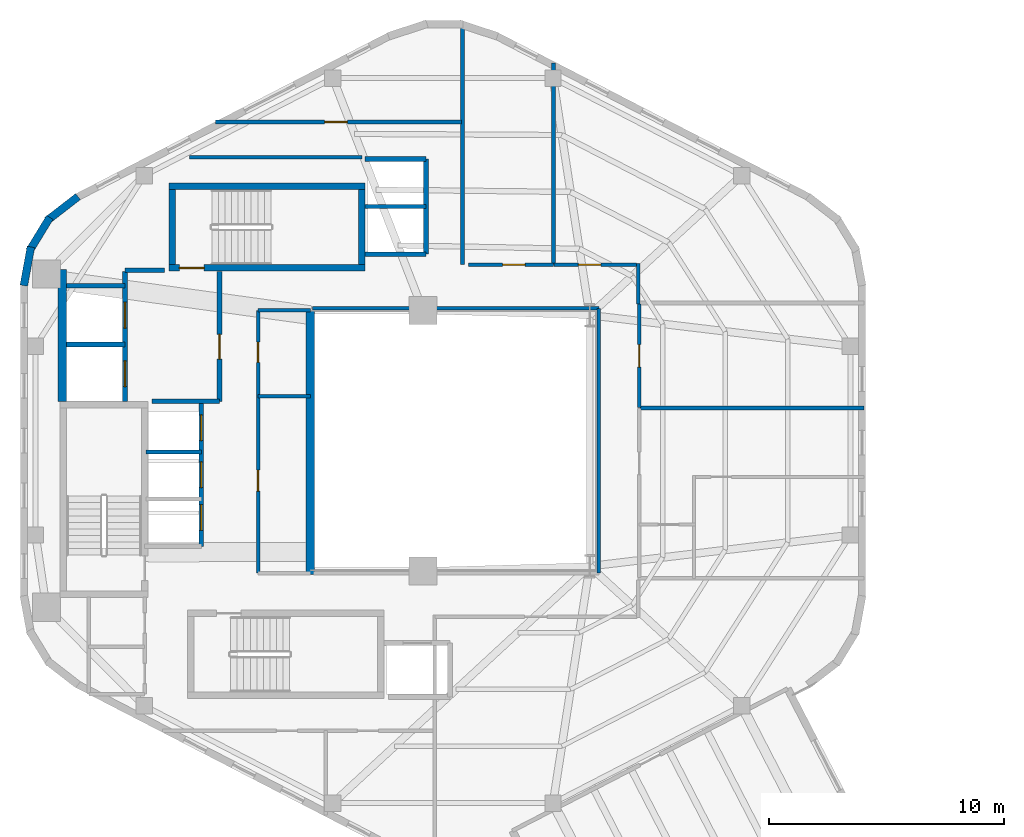
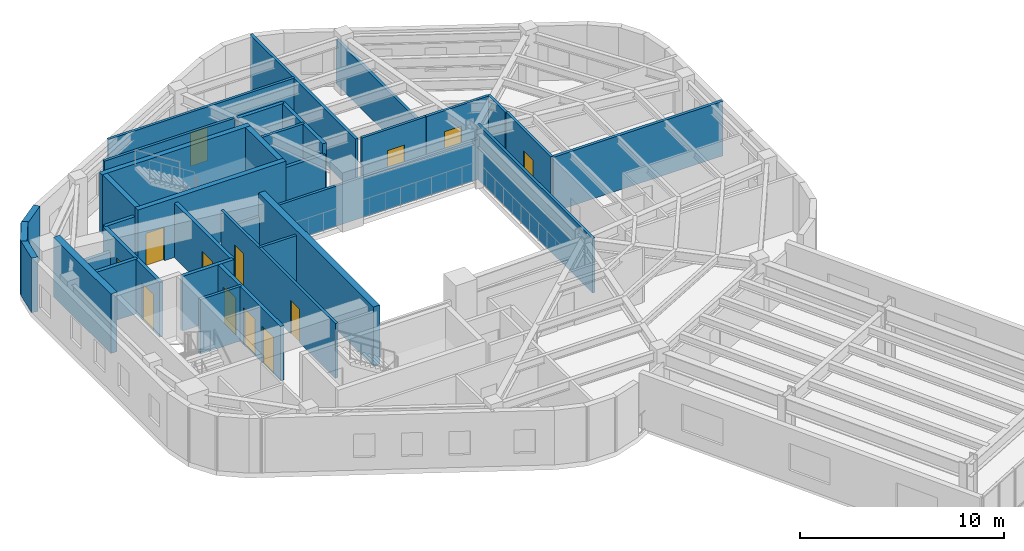
# One storey, part 8 of 10: 35 walls, 13 doors, 13 openings.
"""IFC4 building model written with IfcOpenShell, lengths in metres."""

from ifc_helpers import new_model, si_unit, direction, frame, frame_2d, origin, place, context, subcontext, project, spatial, rectangle, extrude, material, layer, layer_set, type_object, element, fill, save


model = new_model("IFC4")

# Units and contexts
model_context = context("Model", 3, precision=1e-05, world=origin(), true_north=direction((0.0, 1.0)))
body_context = subcontext(model_context, "Body", "Model", "MODEL_VIEW")
ifc_project = project(units=[si_unit("LENGTHUNIT", "METRE"), si_unit("AREAUNIT", "SQUARE_METRE"), si_unit("VOLUMEUNIT", "CUBIC_METRE"), si_unit("PLANEANGLEUNIT", "RADIAN"), si_unit("MASSUNIT", "GRAM", prefix="KILO"), si_unit("THERMODYNAMICTEMPERATUREUNIT", "KELVIN"), si_unit("POWERUNIT", "WATT")], contexts=[model_context])

# Site, building, storey
site_placement = place(None, origin())
site = spatial("IfcSite", under=ifc_project, at=site_placement, CompositionType="ELEMENT")
building_placement = place(site_placement, origin())
building = spatial("IfcBuilding", under=site, at=building_placement, Name="Skarre Station Tower", CompositionType="ELEMENT")
storey_placement = place(building_placement, frame((0.0, 0.0, 238.35009765625)))
storey = spatial("IfcBuildingStorey", under=building, at=storey_placement, Name="L65", CompositionType="ELEMENT", Elevation=238.35009765625)

# Wall
ifc_material_1 = material(Name="Acoustic Steel-Stud Gypsum Partition", Category="steel")
ifc_layer_1 = layer(ifc_material_1, 0.14990234375, Name="Acoustic Steel-Stud Gypsum Partition")
ifc_layer_set_1 = layer_set([ifc_layer_1], Name="Acoustic Steel-Stud Gypsum Partition")
wall_type_1 = type_object("IfcWallType", Name="Fire-Rated Corridor Acoustic Partition 150", PredefinedType="PARTITIONING", material=ifc_layer_set_1)
wall_1_placement = place(storey_placement, frame((25.320068359375, 25.89990234375, 0.0), z_axis=(0.0, 0.0, 1.0), x_axis=(1.0, 0.0, 0.0)))
element("IfcWall", 1, at=wall_1_placement, inside=storey, type_object=wall_type_1, Name="L65 Interior Partition WL-PT-L65-RC2-M", PredefinedType="PARTITIONING", context=body_context, shape_type="SweptSolid", body=[
    extrude(rectangle(XDim=2.22998046875, YDim=0.14990234375, at=frame_2d((1.114990234375, 0.0))), origin(), (0.0, 0.0, 1.0), 3.260009765625),
])

# Wall, openings, doors
wall_2_placement = place(storey_placement, frame((25.320068359375, 29.550048828125, 0.0), z_axis=(0.0, 0.0, 1.0), x_axis=(0.0, -1.0, 0.0)))
wall_2 = element("IfcWall", 2, at=wall_2_placement, inside=storey, type_object=wall_type_1, Name="L65 Interior Partition WL-PT-L65-RC2-W", PredefinedType="PARTITIONING", context=body_context, shape_type="SweptSolid", body=[
    extrude(rectangle(XDim=11.18994140625, YDim=0.14990234375, at=frame_2d((5.594970703125, 0.0))), origin(), (0.0, 0.0, 1.0), 3.260009765625),
])
opening_1_placement = place(wall_2_placement, frame((1.35009765625, 0.0, 0.0)))
opening_1 = element("IfcOpeningElement", 3, at=opening_1_placement, cuts=wall_2, Name="Opening DR-SVC86", PredefinedType="OPENING", context=body_context, shape_type="SweptSolid", body=[
    extrude(rectangle(XDim=0.860107421875, YDim=2.0, at=frame_2d((0.43017578125, 1.0))), frame((0.0, 0.0849609375, 0.0), z_axis=(0.0, -1.0, 0.0), x_axis=(1.0, 0.0, 0.0)), (0.0, 0.0, 1.0), 0.169921875),
])
opening_2_placement = place(wall_2_placement, frame((6.800048828125, 0.0, 0.0)))
opening_2 = element("IfcOpeningElement", 4, at=opening_2_placement, cuts=wall_2, Name="Opening DR-SVC90", PredefinedType="OPENING", context=body_context, shape_type="SweptSolid", body=[
    extrude(rectangle(XDim=0.89990234375, YDim=2.0, at=frame_2d((0.449951171875, 1.0))), frame((0.0, 0.0849609375, 0.0), z_axis=(0.0, -1.0, 0.0), x_axis=(1.0, 0.0, 0.0)), (0.0, 0.0, 1.0), 0.169921875),
])
ifc_material_2 = material(Name="Powder-Coated Hollow-Metal Acoustic Fire Leaf", Category="steel")
door_type_1 = type_object("IfcDoorType", Name="Compact Riser Fire Door FD60 860x2100", OperationType="SINGLE_SWING_LEFT", PredefinedType="DOOR", material=ifc_material_2)
door_1_placement = place(opening_1_placement, origin())
door_1 = element("IfcDoor", 5, at=door_1_placement, inside=storey, type_object=door_type_1, Name="L65 Music Alcove Door", OperationType="SINGLE_SWING_LEFT", OverallHeight=2.0, OverallWidth=0.860107421875, PredefinedType="DOOR", context=body_context, shape_type="SweptSolid", body=[
    extrude(rectangle(XDim=0.860107421875, YDim=2.0, at=frame_2d((0.43017578125, 1.0))), frame((0.0, 0.02490234375, 0.0), z_axis=(0.0, -1.0, 0.0), x_axis=(1.0, 0.0, 0.0)), (0.0, 0.0, 1.0), 0.050048828125),
])
fill(opening_1, door_1)
door_type_2 = type_object("IfcDoorType", Name="Service & Riser Fire Door FD60 900x2100", OperationType="SINGLE_SWING_LEFT", PredefinedType="DOOR", material=ifc_material_2)
door_2_placement = place(opening_2_placement, origin())
door_2 = element("IfcDoor", 6, at=door_2_placement, inside=storey, type_object=door_type_2, Name="L65 Tasting Pantry Door", OperationType="SINGLE_SWING_LEFT", OverallHeight=2.0, OverallWidth=0.89990234375, PredefinedType="DOOR", context=body_context, shape_type="SweptSolid", body=[
    extrude(rectangle(XDim=0.89990234375, YDim=2.0, at=frame_2d((0.449951171875, 1.0))), frame((0.0, 0.02490234375, 0.0), z_axis=(0.0, -1.0, 0.0), x_axis=(1.0, 0.0, 0.0)), (0.0, 0.0, 1.0), 0.050048828125),
])
fill(opening_2, door_2)

# Walls
wall_3_placement = place(storey_placement, frame((27.550048828125, 29.550048828125, 0.0), z_axis=(0.0, 0.0, 1.0), x_axis=(-1.0, 0.0, 0.0)))
element("IfcWall", 7, at=wall_3_placement, inside=storey, type_object=wall_type_1, Name="L65 Interior Partition WL-PT-L65-RC2-N", PredefinedType="PARTITIONING", context=body_context, shape_type="SweptSolid", body=[
    extrude(rectangle(XDim=2.22998046875, YDim=0.14990234375, at=frame_2d((1.114990234375, 0.0))), origin(), (0.0, 0.0, 1.0), 2.159912109375),
])
wall_4_placement = place(storey_placement, frame((39.840087890625, 29.639892578125, 0.0), z_axis=(0.0, 0.0, 1.0), x_axis=(-1.0, 0.0, 0.0)))
element("IfcWall", 8, at=wall_4_placement, inside=storey, type_object=wall_type_1, Name="L65 Interior Partition WL-PT-L65-ATRW-N", PredefinedType="PARTITIONING", context=body_context, shape_type="SweptSolid", body=[
    extrude(rectangle(XDim=12.203125, YDim=0.14990234375, at=frame_2d((6.1015625, 0.0))), origin(), (0.0, 0.0, 1.0), 2.40087890625),
])
wall_5_placement = place(storey_placement, frame((39.840087890625, 18.360107421875, 0.0), z_axis=(0.0, 0.0, 1.0), x_axis=(0.0, 1.0, 0.0)))
element("IfcWall", 9, at=wall_5_placement, inside=storey, type_object=wall_type_1, Name="L65 Interior Partition WL-PT-L65-ATRW-E", PredefinedType="PARTITIONING", context=body_context, shape_type="SweptSolid", body=[
    extrude(rectangle(XDim=11.27978515625, YDim=0.14990234375, at=frame_2d((5.639892578125, 0.0))), origin(), (0.0, 0.0, 1.0), 3.260009765625),
])

# Wall, opening, door
wall_6_placement = place(storey_placement, frame((34.0, 37.580078125, 0.0), z_axis=(0.0, 0.0, 1.0), x_axis=(-1.0, 0.0, 0.0)))
wall_6 = element("IfcWall", 10, at=wall_6_placement, inside=storey, type_object=wall_type_1, Name="L65 Interior Partition WL-PT-L65-NWW1-CW", PredefinedType="PARTITIONING", context=body_context, shape_type="SweptSolid", body=[
    extrude(rectangle(XDim=10.5009765625, YDim=0.14990234375, at=frame_2d((5.25048828125, 0.0))), origin(), (0.0, 0.0, 1.0), 3.260009765625),
])
opening_3_placement = place(wall_6_placement, frame((4.87890625, 0.0, 0.0)))
opening_3 = element("IfcOpeningElement", 11, at=opening_3_placement, cuts=wall_6, Name="Opening DR-FD60", PredefinedType="OPENING", context=body_context, shape_type="SweptSolid", body=[
    extrude(rectangle(XDim=0.9599609375, YDim=2.0, at=frame_2d((0.47998046875, 1.0))), frame((0.0, 0.0849609375, 0.0), z_axis=(0.0, -1.0, 0.0), x_axis=(1.0, 0.0, 0.0)), (0.0, 0.0, 1.0), 0.169921875),
])
ifc_material_3 = material(Name="Nordic White-Oak Veneer Solid-Core Fire Leaf", Category="wood")
door_type_3 = type_object("IfcDoorType", Name="Corridor Suite Entry Fire Door FD60 960x2150", OperationType="SINGLE_SWING_LEFT", PredefinedType="DOOR", material=ifc_material_3)
door_3_placement = place(opening_3_placement, origin())
door_3 = element("IfcDoor", 12, at=door_3_placement, inside=storey, type_object=door_type_3, Name="L65 NWW1 Entry Door", OperationType="SINGLE_SWING_LEFT", OverallHeight=2.0, OverallWidth=0.9599609375, PredefinedType="DOOR", context=body_context, shape_type="SweptSolid", body=[
    extrude(rectangle(XDim=0.9599609375, YDim=2.0, at=frame_2d((0.47998046875, 1.0))), frame((0.0, 0.02490234375, 0.0), z_axis=(0.0, -1.0, 0.0), x_axis=(1.0, 0.0, 0.0)), (0.0, 0.0, 1.0), 0.050048828125),
])
fill(opening_3, door_3)

# Wall
wall_7_placement = place(storey_placement, frame((41.52001953125, 29.820068359375, 0.0), z_axis=(0.0, 0.0, 1.0), x_axis=(0.0, 1.0, 0.0)))
element("IfcWall", 13, at=wall_7_placement, inside=storey, type_object=wall_type_1, Name="L65 Interior Partition WL-PT-L65-CORR-NER", PredefinedType="PARTITIONING", context=body_context, shape_type="SweptSolid", body=[
    extrude(rectangle(XDim=1.719970703125, YDim=0.14990234375, at=frame_2d((0.85986328125, 0.0))), origin(), (0.0, 0.0, 1.0), 3.260009765625),
])

# Wall, opening, door
wall_8_placement = place(storey_placement, frame((37.912109375, 31.5, 0.0), z_axis=(0.0, 0.0, 1.0), x_axis=(-1.0, 0.0, 0.0)))
wall_8 = element("IfcWall", 14, at=wall_8_placement, inside=storey, type_object=wall_type_1, Name="L65 Interior Partition WL-PT-L65-NW1-CW", PredefinedType="PARTITIONING", context=body_context, shape_type="SweptSolid", body=[
    extrude(rectangle(XDim=3.6220703125, YDim=0.14990234375, at=frame_2d((1.81103515625, 0.0))), origin(), (0.0, 0.0, 1.0), 3.260009765625),
])
opening_4_placement = place(wall_8_placement, frame((1.2119140625, 0.0, 0.0)))
opening_4 = element("IfcOpeningElement", 15, at=opening_4_placement, cuts=wall_8, Name="Opening DR-FD60", PredefinedType="OPENING", context=body_context, shape_type="SweptSolid", body=[
    extrude(rectangle(XDim=0.9599609375, YDim=2.0, at=frame_2d((0.47998046875, 1.0))), frame((0.0, 0.0849609375, 0.0), z_axis=(0.0, -1.0, 0.0), x_axis=(1.0, 0.0, 0.0)), (0.0, 0.0, 1.0), 0.169921875),
])
door_4_placement = place(opening_4_placement, origin())
door_4 = element("IfcDoor", 16, at=door_4_placement, inside=storey, type_object=door_type_3, Name="L65 NW1 Entry Door", OperationType="SINGLE_SWING_LEFT", OverallHeight=2.0, OverallWidth=0.9599609375, PredefinedType="DOOR", context=body_context, shape_type="SweptSolid", body=[
    extrude(rectangle(XDim=0.9599609375, YDim=2.0, at=frame_2d((0.47998046875, 1.0))), frame((0.0, 0.02490234375, 0.0), z_axis=(0.0, -1.0, 0.0), x_axis=(1.0, 0.0, 0.0)), (0.0, 0.0, 1.0), 0.050048828125),
])
fill(opening_4, door_4)

wall_9_placement = place(storey_placement, frame((41.449951171875, 31.5, 0.0), z_axis=(0.0, 0.0, 1.0), x_axis=(-1.0, 0.0, 0.0)))
wall_9 = element("IfcWall", 17, at=wall_9_placement, inside=storey, type_object=wall_type_1, Name="L65 Interior Partition WL-PT-L65-NW2-CW", PredefinedType="PARTITIONING", context=body_context, shape_type="SweptSolid", body=[
    extrude(rectangle(XDim=3.52783203125, YDim=0.14990234375, at=frame_2d((1.763916015625, 0.0))), origin(), (0.0, 0.0, 1.0), 3.260009765625),
])
opening_5_placement = place(wall_9_placement, frame((1.52392578125, 0.0, 0.0)))
opening_5 = element("IfcOpeningElement", 18, at=opening_5_placement, cuts=wall_9, Name="Opening DR-FD60", PredefinedType="OPENING", context=body_context, shape_type="SweptSolid", body=[
    extrude(rectangle(XDim=0.9599609375, YDim=2.0, at=frame_2d((0.47998046875, 1.0))), frame((0.0, 0.0849609375, 0.0), z_axis=(0.0, -1.0, 0.0), x_axis=(1.0, 0.0, 0.0)), (0.0, 0.0, 1.0), 0.169921875),
])
door_5_placement = place(opening_5_placement, origin())
door_5 = element("IfcDoor", 19, at=door_5_placement, inside=storey, type_object=door_type_3, Name="L65 NW2 Entry Door", OperationType="SINGLE_SWING_LEFT", OverallHeight=2.0, OverallWidth=0.9599609375, PredefinedType="DOOR", context=body_context, shape_type="SweptSolid", body=[
    extrude(rectangle(XDim=0.9599609375, YDim=2.0, at=frame_2d((0.47998046875, 1.0))), frame((0.0, 0.02490234375, 0.0), z_axis=(0.0, -1.0, 0.0), x_axis=(1.0, 0.0, 0.0)), (0.0, 0.0, 1.0), 0.050048828125),
])
fill(opening_5, door_5)

wall_10_placement = place(storey_placement, frame((41.56005859375, 25.4150390625, 0.0), z_axis=(0.0, 0.0, 1.0), x_axis=(0.0, 1.0, 0.0)))
wall_10 = element("IfcWall", 20, at=wall_10_placement, inside=storey, type_object=wall_type_1, Name="L65 Interior Partition WL-PT-L65-EW2-CW", PredefinedType="PARTITIONING", context=body_context, shape_type="SweptSolid", body=[
    extrude(rectangle(XDim=4.405029296875, YDim=0.14990234375, at=frame_2d((2.20263671875, 0.0))), origin(), (0.0, 0.0, 1.0), 3.260009765625),
])
opening_6_placement = place(wall_10_placement, frame((1.722900390625, 0.0, 0.0)))
opening_6 = element("IfcOpeningElement", 21, at=opening_6_placement, cuts=wall_10, Name="Opening DR-FD60", PredefinedType="OPENING", context=body_context, shape_type="SweptSolid", body=[
    extrude(rectangle(XDim=0.9599609375, YDim=2.0, at=frame_2d((0.47998046875, 1.0))), frame((0.0, 0.0849609375, 0.0), z_axis=(0.0, -1.0, 0.0), x_axis=(1.0, 0.0, 0.0)), (0.0, 0.0, 1.0), 0.169921875),
])
door_6_placement = place(opening_6_placement, origin())
door_6 = element("IfcDoor", 22, at=door_6_placement, inside=storey, type_object=door_type_3, Name="L65 EW2 Entry Door", OperationType="SINGLE_SWING_LEFT", OverallHeight=2.0, OverallWidth=0.9599609375, PredefinedType="DOOR", context=body_context, shape_type="SweptSolid", body=[
    extrude(rectangle(XDim=0.9599609375, YDim=2.0, at=frame_2d((0.47998046875, 1.0))), frame((0.0, 0.02490234375, 0.0), z_axis=(0.0, -1.0, 0.0), x_axis=(1.0, 0.0, 0.0)), (0.0, 0.0, 1.0), 0.050048828125),
])
fill(opening_6, door_6)

# Walls
wall_11_placement = place(storey_placement, frame((29.7529296875, 36.080078125, 0.0), z_axis=(0.0, 0.0, 1.0), x_axis=(-1.0, 0.0, 0.0)))
element("IfcWall", 23, at=wall_11_placement, inside=storey, type_object=wall_type_1, Name="L65 Interior Partition WL-PT-L65-CSEAL-1", PredefinedType="PARTITIONING", context=body_context, shape_type="SweptSolid", body=[
    extrude(rectangle(XDim=7.35302734375, YDim=0.14990234375, at=frame_2d((3.676513671875, 0.0))), origin(), (0.0, 0.0, 1.0), 3.260009765625),
])
ifc_material_4 = material(Name="Precast concrete C45/55", Category="concrete")
ifc_layer_2 = layer(ifc_material_4, 0.330078125, Name="Precast concrete C45/55")
ifc_layer_set_2 = layer_set([ifc_layer_2], Name="Precast concrete C45/55")
wall_type_2 = type_object("IfcWallType", Name="Nordic Rounded Corner Precast Wall 330", PredefinedType="STANDARD", material=ifc_layer_set_2)
wall_12_placement = place(storey_placement, frame((15.337890625, 30.60791015625, 0.0), z_axis=(0.0, 0.0, 1.0), x_axis=(0.180832605401, 0.983513888475, 0.0)))
element("IfcWall", 24, at=wall_12_placement, inside=storey, type_object=wall_type_2, Name="L65 Rounded Corner Precast Wall F2-1", PredefinedType="STANDARD", context=body_context, shape_type="SweptSolid", body=[
    extrude(rectangle(XDim=1.6767578125, YDim=0.330078125, at=frame_2d((0.83837890625, 0.0))), origin(), (0.0, 0.0, 1.0), 3.260009765625),
])
wall_13_placement = place(storey_placement, frame((15.573974609375, 32.08203125, 0.0), z_axis=(0.0, 0.0, 1.0), x_axis=(0.520325409202, 0.853968072318, 0.0)))
element("IfcWall", 25, at=wall_13_placement, inside=storey, type_object=wall_type_2, Name="L65 Rounded Corner Precast Wall F2-2", PredefinedType="STANDARD", context=body_context, shape_type="SweptSolid", body=[
    extrude(rectangle(XDim=1.677978515625, YDim=0.330078125, at=frame_2d((0.8388671875, 0.0))), origin(), (0.0, 0.0, 1.0), 3.260009765625),
])
wall_14_placement = place(storey_placement, frame((16.322021484375, 33.375, 0.0), z_axis=(0.0, 0.0, 1.0), x_axis=(0.790691856293, 0.61221433207, 0.0)))
element("IfcWall", 26, at=wall_14_placement, inside=storey, type_object=wall_type_2, Name="L65 Rounded Corner Precast Wall F2-3", PredefinedType="STANDARD", context=body_context, shape_type="SweptSolid", body=[
    extrude(rectangle(XDim=1.67578125, YDim=0.330078125, at=frame_2d((0.837890625, 0.0))), origin(), (0.0, 0.0, 1.0), 3.260009765625),
])

# Wall, opening, door
ifc_material_5 = material(Name="Concrete C50/60", Category="concrete")
ifc_layer_3 = layer(ifc_material_5, 0.280029296875, Name="Concrete C50/60")
ifc_layer_set_3 = layer_set([ifc_layer_3], Name="Concrete C50/60")
wall_type_3 = type_object("IfcWallType", Name="RC Core Shear Wall 280", PredefinedType="SHEAR", material=ifc_layer_set_3)
wall_15_placement = place(storey_placement, frame((21.52001953125, 31.360107421875, 0.0), z_axis=(0.0, 0.0, 1.0), x_axis=(1.0, 0.0, 0.0)))
wall_15 = element("IfcWall", 27, at=wall_15_placement, inside=storey, type_object=wall_type_3, Name="L65 Stair ST-3 South Shear Wall", PredefinedType="SHEAR", context=body_context, shape_type="SweptSolid", body=[
    extrude(rectangle(XDim=8.35986328125, YDim=0.280029296875, at=frame_2d((4.179931640625, 0.0))), origin(), (0.0, 0.0, 1.0), 3.5498046875),
])
opening_7_placement = place(wall_15_placement, frame((0.449951171875, 0.0, 0.0)))
opening_7 = element("IfcOpeningElement", 28, at=opening_7_placement, cuts=wall_15, Name="Opening DR-FD90", PredefinedType="OPENING", context=body_context, shape_type="SweptSolid", body=[
    extrude(rectangle(XDim=1.050048828125, YDim=2.0, at=frame_2d((0.52490234375, 1.0))), frame((0.0, 0.14990234375, 0.0), z_axis=(0.0, -1.0, 0.0), x_axis=(1.0, 0.0, 0.0)), (0.0, 0.0, 1.0), 0.300048828125),
])
ifc_material_6 = material(Name="Fire-Rated Insulated Steel Frame & Timber Core Leaf", Category="steel")
door_type_4 = type_object("IfcDoorType", Name="Stair & FSAE Lobby Fire Door FD90 1050x2150", OperationType="SINGLE_SWING_RIGHT", PredefinedType="DOOR", material=ifc_material_6)
door_7_placement = place(opening_7_placement, origin())
door_7 = element("IfcDoor", 29, at=door_7_placement, inside=storey, type_object=door_type_4, Name="L65 Stair ST-3 & FSAE Lobby Direct Exit Door", OperationType="SINGLE_SWING_LEFT", OverallHeight=2.0, OverallWidth=1.050048828125, PredefinedType="DOOR", context=body_context, shape_type="SweptSolid", body=[
    extrude(rectangle(XDim=1.050048828125, YDim=2.0, at=frame_2d((0.52490234375, 1.0))), frame((0.0, 0.02490234375, 0.0), z_axis=(0.0, -1.0, 0.0), x_axis=(1.0, 0.0, 0.0)), (0.0, 0.0, 1.0), 0.050048828125),
])
fill(opening_7, door_7)

# Walls
wall_16_placement = place(storey_placement, frame((29.8798828125, 34.840087890625, 0.0), z_axis=(0.0, 0.0, 1.0), x_axis=(-1.0, 0.0, 0.0)))
element("IfcWall", 30, at=wall_16_placement, inside=storey, type_object=wall_type_3, Name="L65 Stair ST-3 North Shear Wall", PredefinedType="SHEAR", context=body_context, shape_type="SweptSolid", body=[
    extrude(rectangle(XDim=8.35986328125, YDim=0.280029296875, at=frame_2d((4.179931640625, 0.0))), origin(), (0.0, 0.0, 1.0), 3.5498046875),
])
for number, where, z_axis, x_axis, name in (
    (31, (21.659912109375, 34.699951171875, 0.0), (0.0, 0.0, 1.0), (0.0, -1.0, 0.0), "L65 Stair ST-3 West Shear Wall"),
    (32, (29.739990234375, 31.5, 0.0), (0.0, 0.0, 1.0), (0.0, 1.0, 0.0), "L65 Stair ST-3 East Shear Wall"),
):
    element("IfcWall", number, at=place(storey_placement, frame(where, z_axis=z_axis, x_axis=x_axis)), inside=storey, type_object=wall_type_3, Name=name, PredefinedType="SHEAR", context=body_context, shape_type="SweptSolid", body=[
        extrude(rectangle(XDim=3.199951171875, YDim=0.280029296875, at=frame_2d((1.60009765625, 0.0))), origin(), (0.0, 0.0, 1.0), 3.5498046875),
    ])
ifc_layer_4 = layer(ifc_material_5, 0.360107421875, Name="Concrete C50/60")
ifc_layer_set_4 = layer_set([ifc_layer_4], Name="Concrete C50/60")
wall_type_4 = type_object("IfcWallType", Name="RC Core Shear Wall 360", PredefinedType="SHEAR", material=ifc_layer_set_4)
wall_17_placement = place(storey_placement, frame((16.969970703125, 25.679931640625, 0.0), z_axis=(0.0, 0.0, 1.0), x_axis=(0.0, 1.0, 0.0)))
element("IfcWall", 33, at=wall_17_placement, inside=storey, type_object=wall_type_4, Name="L65 Core West-North Shear Wall", PredefinedType="SHEAR", context=body_context, shape_type="SweptSolid", body=[
    extrude(rectangle(XDim=5.6201171875, YDim=0.360107421875, at=frame_2d((2.81005859375, 0.0))), origin(), (0.0, 0.0, 1.0), 3.5498046875),
])
wall_18_placement = place(storey_placement, frame((27.550048828125, 29.550048828125, 0.0), z_axis=(0.0, 0.0, 1.0), x_axis=(0.0, -1.0, 0.0)))
element("IfcWall", 34, at=wall_18_placement, inside=storey, type_object=wall_type_4, Name="L65 Core East Atrium Shear Wall", PredefinedType="SHEAR", context=body_context, shape_type="SweptSolid", body=[
    extrude(rectangle(XDim=11.25, YDim=0.360107421875, at=frame_2d((5.625, 0.0))), origin(), (0.0, 0.0, 1.0), 3.5498046875),
])

# Wall, openings, doors
ifc_material_7 = material(Name="Gypsum Concrete Shaft Assembly C30/37", Category="concrete")
ifc_layer_5 = layer(ifc_material_7, 0.199951171875, Name="Gypsum Concrete Shaft Assembly C30/37")
ifc_layer_set_5 = layer_set([ifc_layer_5], Name="Gypsum Concrete Shaft Assembly C30/37")
wall_type_5 = type_object("IfcWallType", Name="Shaft & Core Fire Partition 200", PredefinedType="PARTITIONING", material=ifc_layer_set_5)
wall_19_placement = place(storey_placement, frame((19.64990234375, 25.679931640625, 0.0), z_axis=(0.0, 0.0, 1.0), x_axis=(0.0, 1.0, 0.0)))
wall_19 = element("IfcWall", 35, at=wall_19_placement, inside=storey, type_object=wall_type_5, Name="L65 Interior Partition WL-PT-L65-FSAE-W", PredefinedType="PARTITIONING", context=body_context, shape_type="SweptSolid", body=[
    extrude(rectangle(XDim=5.5400390625, YDim=0.199951171875, at=frame_2d((2.77001953125, 0.0))), origin(), (0.0, 0.0, 1.0), 3.260009765625),
])
opening_8_placement = place(wall_19_placement, frame((0.6201171875, 0.0, 0.0)))
opening_8 = element("IfcOpeningElement", 36, at=opening_8_placement, cuts=wall_19, Name="Opening LD-FF1", PredefinedType="OPENING", context=body_context, shape_type="SweptSolid", body=[
    extrude(rectangle(XDim=1.10009765625, YDim=2.199951171875, at=frame_2d((0.550048828125, 1.10009765625))), frame((0.0, 0.10986328125, 0.0), z_axis=(0.0, -1.0, 0.0), x_axis=(1.0, 0.0, 0.0)), (0.0, 0.0, 1.0), 0.219970703125),
])
opening_9_placement = place(wall_19_placement, frame((3.1201171875, 0.0, 0.0)))
opening_9 = element("IfcOpeningElement", 37, at=opening_9_placement, cuts=wall_19, Name="Opening LD-FF2", PredefinedType="OPENING", context=body_context, shape_type="SweptSolid", body=[
    extrude(rectangle(XDim=1.10009765625, YDim=2.199951171875, at=frame_2d((0.550048828125, 1.10009765625))), frame((0.0, 0.10986328125, 0.0), z_axis=(0.0, -1.0, 0.0), x_axis=(1.0, 0.0, 0.0)), (0.0, 0.0, 1.0), 0.219970703125),
])
ifc_material_8 = material(Name="Fire-Rated Stainless Steel Grade 316L Sliding Leaves", Category="steel")
door_type_5 = type_object("IfcDoorType", Name="Fire Service Access Elevator Sliding Landing Door 1100x2200", OperationType="SLIDING_TO_LEFT", PredefinedType="DOOR", material=ifc_material_8)
door_8_placement = place(opening_8_placement, origin())
door_8 = element("IfcDoor", 38, at=door_8_placement, inside=storey, type_object=door_type_5, Name="L65 Firefighting Lift LF-FF1 Landing Door", OperationType="SLIDING_TO_LEFT", OverallHeight=2.199951171875, OverallWidth=1.10009765625, PredefinedType="DOOR", context=body_context, shape_type="SweptSolid", body=[
    extrude(rectangle(XDim=1.10009765625, YDim=2.199951171875, at=frame_2d((0.550048828125, 1.10009765625))), frame((0.0, 0.02490234375, 0.0), z_axis=(0.0, -1.0, 0.0), x_axis=(1.0, 0.0, 0.0)), (0.0, 0.0, 1.0), 0.050048828125),
])
fill(opening_8, door_8)
door_9_placement = place(opening_9_placement, origin())
door_9 = element("IfcDoor", 39, at=door_9_placement, inside=storey, type_object=door_type_5, Name="L65 Firefighting Lift LF-FF2 Landing Door", OperationType="SLIDING_TO_LEFT", OverallHeight=2.199951171875, OverallWidth=1.10009765625, PredefinedType="DOOR", context=body_context, shape_type="SweptSolid", body=[
    extrude(rectangle(XDim=1.10009765625, YDim=2.199951171875, at=frame_2d((0.550048828125, 1.10009765625))), frame((0.0, 0.02490234375, 0.0), z_axis=(0.0, -1.0, 0.0), x_axis=(1.0, 0.0, 0.0)), (0.0, 0.0, 1.0), 0.050048828125),
])
fill(opening_9, door_9)

# Wall
wall_20_placement = place(storey_placement, frame((20.79296875, 25.679931640625, 0.0), z_axis=(0.0, 0.0, 1.0), x_axis=(1.0, 0.0, 0.0)))
element("IfcWall", 40, at=wall_20_placement, inside=storey, type_object=wall_type_5, Name="L65 Interior Partition WL-PT-L65-FSAE-S", PredefinedType="PARTITIONING", context=body_context, shape_type="SweptSolid", body=[
    extrude(rectangle(XDim=2.886962890625, YDim=0.199951171875, at=frame_2d((1.443359375, 0.0))), origin(), (0.0, 0.0, 1.0), 3.260009765625),
])

# Wall, opening, door
wall_21_placement = place(storey_placement, frame((23.679931640625, 25.679931640625, 0.0), z_axis=(0.0, 0.0, 1.0), x_axis=(0.0, 1.0, 0.0)))
wall_21 = element("IfcWall", 41, at=wall_21_placement, inside=storey, type_object=wall_type_5, Name="L65 Interior Partition WL-PT-L65-FSAE-E", PredefinedType="PARTITIONING", context=body_context, shape_type="SweptSolid", body=[
    extrude(rectangle(XDim=5.5400390625, YDim=0.199951171875, at=frame_2d((2.77001953125, 0.0))), origin(), (0.0, 0.0, 1.0), 3.260009765625),
])
opening_10_placement = place(wall_21_placement, frame((1.800048828125, 0.0, 0.0)))
opening_10 = element("IfcOpeningElement", 42, at=opening_10_placement, cuts=wall_21, Name="Opening DR-FD90", PredefinedType="OPENING", context=body_context, shape_type="SweptSolid", body=[
    extrude(rectangle(XDim=1.050048828125, YDim=2.0, at=frame_2d((0.52490234375, 1.0))), frame((0.0, 0.10986328125, 0.0), z_axis=(0.0, -1.0, 0.0), x_axis=(1.0, 0.0, 0.0)), (0.0, 0.0, 1.0), 0.219970703125),
])
door_10_placement = place(opening_10_placement, origin())
door_10 = element("IfcDoor", 43, at=door_10_placement, inside=storey, type_object=door_type_4, Name="L65 FSAE Lobby Fire Door", OperationType="SINGLE_SWING_RIGHT", OverallHeight=2.0, OverallWidth=1.050048828125, PredefinedType="DOOR", context=body_context, shape_type="SweptSolid", body=[
    extrude(rectangle(XDim=1.050048828125, YDim=2.0, at=frame_2d((0.52490234375, 1.0))), frame((0.0, 0.02490234375, 0.0), z_axis=(0.0, -1.0, 0.0), x_axis=(1.0, 0.0, 0.0)), (0.0, 0.0, 1.0), 0.050048828125),
])
fill(opening_10, door_10)

# Walls
wall_22_placement = place(storey_placement, frame((21.330078125, 31.260009765625, 0.0), z_axis=(0.0, 0.0, 1.0), x_axis=(-1.0, 0.0, 0.0)))
element("IfcWall", 44, at=wall_22_placement, inside=storey, type_object=wall_type_5, Name="L65 Interior Partition WL-PT-L65-FSAE-N", PredefinedType="PARTITIONING", context=body_context, shape_type="SweptSolid", body=[
    extrude(rectangle(XDim=1.68017578125, YDim=0.199951171875, at=frame_2d((0.840087890625, 0.0))), origin(), (0.0, 0.0, 1.0), 3.260009765625),
])
wall_23_placement = place(storey_placement, frame((17.14990234375, 28.10009765625, 0.0), z_axis=(0.0, 0.0, 1.0), x_axis=(1.0, 0.0, 0.0)))
element("IfcWall", 45, at=wall_23_placement, inside=storey, type_object=wall_type_5, Name="L65 Interior Partition WL-PT-L65-FF-DIV", PredefinedType="PARTITIONING", context=body_context, shape_type="SweptSolid", body=[
    extrude(rectangle(XDim=2.5, YDim=0.199951171875, at=frame_2d((1.25, 0.0))), origin(), (0.0, 0.0, 1.0), 3.260009765625),
])
wall_24_placement = place(storey_placement, frame((19.64990234375, 30.60009765625, 0.0), z_axis=(0.0, 0.0, 1.0), x_axis=(-1.0, 0.0, 0.0)))
element("IfcWall", 46, at=wall_24_placement, inside=storey, type_object=wall_type_5, Name="L65 Interior Partition WL-PT-L65-FF-N", PredefinedType="PARTITIONING", context=body_context, shape_type="SweptSolid", body=[
    extrude(rectangle(XDim=2.5, YDim=0.199951171875, at=frame_2d((1.25, 0.0))), origin(), (0.0, 0.0, 1.0), 2.159912109375),
])
wall_25_placement = place(storey_placement, frame((32.47998046875, 31.949951171875, 0.0), z_axis=(0.0, 0.0, 1.0), x_axis=(0.0, 1.0, 0.0)))
element("IfcWall", 47, at=wall_25_placement, inside=storey, type_object=wall_type_5, Name="L65 Interior Partition WL-PT-L65-EX-E", PredefinedType="PARTITIONING", context=body_context, shape_type="SweptSolid", body=[
    extrude(rectangle(XDim=4.050048828125, YDim=0.199951171875, at=frame_2d((2.02490234375, 0.0))), origin(), (0.0, 0.0, 1.0), 3.260009765625),
])
wall_26_placement = place(storey_placement, frame((29.8798828125, 36.0, 0.0), z_axis=(0.0, 0.0, 1.0), x_axis=(1.0, 0.0, 0.0)))
element("IfcWall", 48, at=wall_26_placement, inside=storey, type_object=wall_type_5, Name="L65 Interior Partition WL-PT-L65-EX-N", PredefinedType="PARTITIONING", context=body_context, shape_type="SweptSolid", body=[
    extrude(rectangle(XDim=2.60009765625, YDim=0.199951171875, at=frame_2d((1.300048828125, 0.0))), origin(), (0.0, 0.0, 1.0), 3.260009765625),
])
wall_27_placement = place(storey_placement, frame((32.47998046875, 31.949951171875, 0.0), z_axis=(0.0, 0.0, 1.0), x_axis=(-1.0, 0.0, 0.0)))
element("IfcWall", 49, at=wall_27_placement, inside=storey, type_object=wall_type_5, Name="L65 Interior Partition WL-PT-L65-EX-S", PredefinedType="PARTITIONING", context=body_context, shape_type="SweptSolid", body=[
    extrude(rectangle(XDim=2.60009765625, YDim=0.199951171875, at=frame_2d((1.300048828125, 0.0))), origin(), (0.0, 0.0, 1.0), 2.65185546875),
])
wall_28_placement = place(storey_placement, frame((29.875, 33.97998046875, 0.0), z_axis=(0.0, 0.0, 1.0), x_axis=(1.0, 0.0, 0.0)))
element("IfcWall", 50, at=wall_28_placement, inside=storey, type_object=wall_type_5, Name="L65 Interior Partition WL-PT-L65-EX-DIV", PredefinedType="PARTITIONING", context=body_context, shape_type="SweptSolid", body=[
    extrude(rectangle(XDim=2.60498046875, YDim=0.159912109375, at=frame_2d((1.302490234375, 0.0))), origin(), (0.0, 0.0, 1.0), 3.260009765625),
])

# Wall, openings, doors
wall_29_placement = place(storey_placement, frame((22.89990234375, 19.5, 0.0), z_axis=(0.0, 0.0, 1.0), x_axis=(0.0, 1.0, 0.0)))
wall_29 = element("IfcWall", 51, at=wall_29_placement, inside=storey, type_object=wall_type_5, Name="L65 Interior Partition WL-PT-L65-B3-E", PredefinedType="PARTITIONING", context=body_context, shape_type="SweptSolid", body=[
    extrude(rectangle(XDim=6.0849609375, YDim=0.199951171875, at=frame_2d((3.04248046875, 0.0))), origin(), (0.0, 0.0, 1.0), 3.260009765625),
])
opening_11_placement = place(wall_29_placement, frame((0.679931640625, 0.0, 0.0)))
opening_11 = element("IfcOpeningElement", 52, at=opening_11_placement, cuts=wall_29, Name="Opening LD-P7", PredefinedType="OPENING", context=body_context, shape_type="SweptSolid", body=[
    extrude(rectangle(XDim=1.10009765625, YDim=2.199951171875, at=frame_2d((0.550048828125, 1.10009765625))), frame((0.0, 0.10986328125, 0.0), z_axis=(0.0, -1.0, 0.0), x_axis=(1.0, 0.0, 0.0)), (0.0, 0.0, 1.0), 0.219970703125),
])
opening_12_placement = place(wall_29_placement, frame((2.5, 0.0, 0.0)))
opening_12 = element("IfcOpeningElement", 53, at=opening_12_placement, cuts=wall_29, Name="Opening LD-P8", PredefinedType="OPENING", context=body_context, shape_type="SweptSolid", body=[
    extrude(rectangle(XDim=1.10009765625, YDim=2.199951171875, at=frame_2d((0.550048828125, 1.10009765625))), frame((0.0, 0.10986328125, 0.0), z_axis=(0.0, -1.0, 0.0), x_axis=(1.0, 0.0, 0.0)), (0.0, 0.0, 1.0), 0.219970703125),
])
opening_13_placement = place(wall_29_placement, frame((4.5, 0.0, 0.0)))
opening_13 = element("IfcOpeningElement", 54, at=opening_13_placement, cuts=wall_29, Name="Opening LD-P9", PredefinedType="OPENING", context=body_context, shape_type="SweptSolid", body=[
    extrude(rectangle(XDim=1.10009765625, YDim=2.199951171875, at=frame_2d((0.550048828125, 1.10009765625))), frame((0.0, 0.10986328125, 0.0), z_axis=(0.0, -1.0, 0.0), x_axis=(1.0, 0.0, 0.0)), (0.0, 0.0, 1.0), 0.219970703125),
])
ifc_material_9 = material(Name="Brushed Bronze Stainless Steel Sliding Leaves", Category="steel")
door_type_6 = type_object("IfcDoorType", Name="Passenger Elevator Center-Parting Sliding Door 1100x2200", OperationType="SLIDING_TO_LEFT", PredefinedType="DOOR", material=ifc_material_9)
door_11_placement = place(opening_11_placement, origin())
door_11 = element("IfcDoor", 55, at=door_11_placement, inside=storey, type_object=door_type_6, Name="L65 Passenger Lift LF-P7 Landing Door", OperationType="SLIDING_TO_LEFT", OverallHeight=2.199951171875, OverallWidth=1.10009765625, PredefinedType="DOOR", context=body_context, shape_type="SweptSolid", body=[
    extrude(rectangle(XDim=1.10009765625, YDim=2.199951171875, at=frame_2d((0.550048828125, 1.10009765625))), frame((0.0, 0.02490234375, 0.0), z_axis=(0.0, -1.0, 0.0), x_axis=(1.0, 0.0, 0.0)), (0.0, 0.0, 1.0), 0.050048828125),
])
fill(opening_11, door_11)
door_12_placement = place(opening_12_placement, origin())
door_12 = element("IfcDoor", 56, at=door_12_placement, inside=storey, type_object=door_type_6, Name="L65 Passenger Lift LF-P8 Landing Door", OperationType="SLIDING_TO_LEFT", OverallHeight=2.199951171875, OverallWidth=1.10009765625, PredefinedType="DOOR", context=body_context, shape_type="SweptSolid", body=[
    extrude(rectangle(XDim=1.10009765625, YDim=2.199951171875, at=frame_2d((0.550048828125, 1.10009765625))), frame((0.0, 0.02490234375, 0.0), z_axis=(0.0, -1.0, 0.0), x_axis=(1.0, 0.0, 0.0)), (0.0, 0.0, 1.0), 0.050048828125),
])
fill(opening_12, door_12)
door_13_placement = place(opening_13_placement, origin())
door_13 = element("IfcDoor", 57, at=door_13_placement, inside=storey, type_object=door_type_6, Name="L65 Passenger Lift LF-P9 Landing Door", OperationType="SLIDING_TO_LEFT", OverallHeight=2.199951171875, OverallWidth=1.10009765625, PredefinedType="DOOR", context=body_context, shape_type="SweptSolid", body=[
    extrude(rectangle(XDim=1.10009765625, YDim=2.199951171875, at=frame_2d((0.550048828125, 1.10009765625))), frame((0.0, 0.02490234375, 0.0), z_axis=(0.0, -1.0, 0.0), x_axis=(1.0, 0.0, 0.0)), (0.0, 0.0, 1.0), 0.050048828125),
])
fill(opening_13, door_13)

# Walls
wall_30_placement = place(storey_placement, frame((20.550048828125, 23.52001953125, 0.0), z_axis=(0.0, 0.0, 1.0), x_axis=(1.0, 0.0, 0.0)))
element("IfcWall", 58, at=wall_30_placement, inside=storey, type_object=wall_type_5, Name="L65 Interior Partition WL-PT-L65-B3-D2", PredefinedType="PARTITIONING", context=body_context, shape_type="SweptSolid", body=[
    extrude(rectangle(XDim=2.349853515625, YDim=0.159912109375, at=frame_2d((1.1748046875, 0.0))), origin(), (0.0, 0.0, 1.0), 3.260009765625),
])
ifc_layer_6 = layer(ifc_material_1, 0.1650390625, Name="Acoustic Steel-Stud Gypsum Partition")
ifc_layer_set_6 = layer_set([ifc_layer_6], Name="Acoustic Steel-Stud Gypsum Partition")
wall_type_6 = type_object("IfcWallType", Name="Suite Demising Acoustic Partition 165", PredefinedType="PARTITIONING", material=ifc_layer_set_6)
wall_31_placement = place(storey_placement, frame((34.0400390625, 31.5, 0.0), z_axis=(0.0, 0.0, 1.0), x_axis=(0.0, 1.0, 0.0)))
element("IfcWall", 59, at=wall_31_placement, inside=storey, type_object=wall_type_6, Name="L65 Interior Partition WL-PT-L65-NW-WBND", PredefinedType="PARTITIONING", context=body_context, shape_type="SweptSolid", body=[
    extrude(rectangle(XDim=10.318115234375, YDim=0.1650390625, at=frame_2d((5.1591796875, 0.0))), origin(), (0.0, 0.0, 1.0), 3.260009765625),
])
wall_32_placement = place(storey_placement, frame((37.9169921875, 31.510009765625, 0.0), z_axis=(0.0, 0.0, 1.0), x_axis=(0.0, 1.0, 0.0)))
element("IfcWall", 60, at=wall_32_placement, inside=storey, type_object=wall_type_6, Name="L65 Interior Partition WL-PT-L65-NW-P1", PredefinedType="PARTITIONING", context=body_context, shape_type="SweptSolid", body=[
    extrude(rectangle(XDim=8.575927734375, YDim=0.1650390625, at=frame_2d((4.2880859375, 0.0))), origin(), (0.0, 0.0, 1.0), 2.64892578125),
])
wall_33_placement = place(storey_placement, frame((41.590087890625, 25.39697265625, 0.0), z_axis=(0.0, 0.0, 1.0), x_axis=(1.0, 0.0, 0.0)))
element("IfcWall", 61, at=wall_33_placement, inside=storey, type_object=wall_type_6, Name="L65 Interior Partition WL-PT-L65-EW-P1", PredefinedType="PARTITIONING", context=body_context, shape_type="SweptSolid", body=[
    extrude(rectangle(XDim=9.552978515625, YDim=0.1650390625, at=frame_2d((4.7763671875, 0.0))), origin(), (0.0, 0.0, 1.0), 3.260009765625),
])

save(model, "model.ifc")
